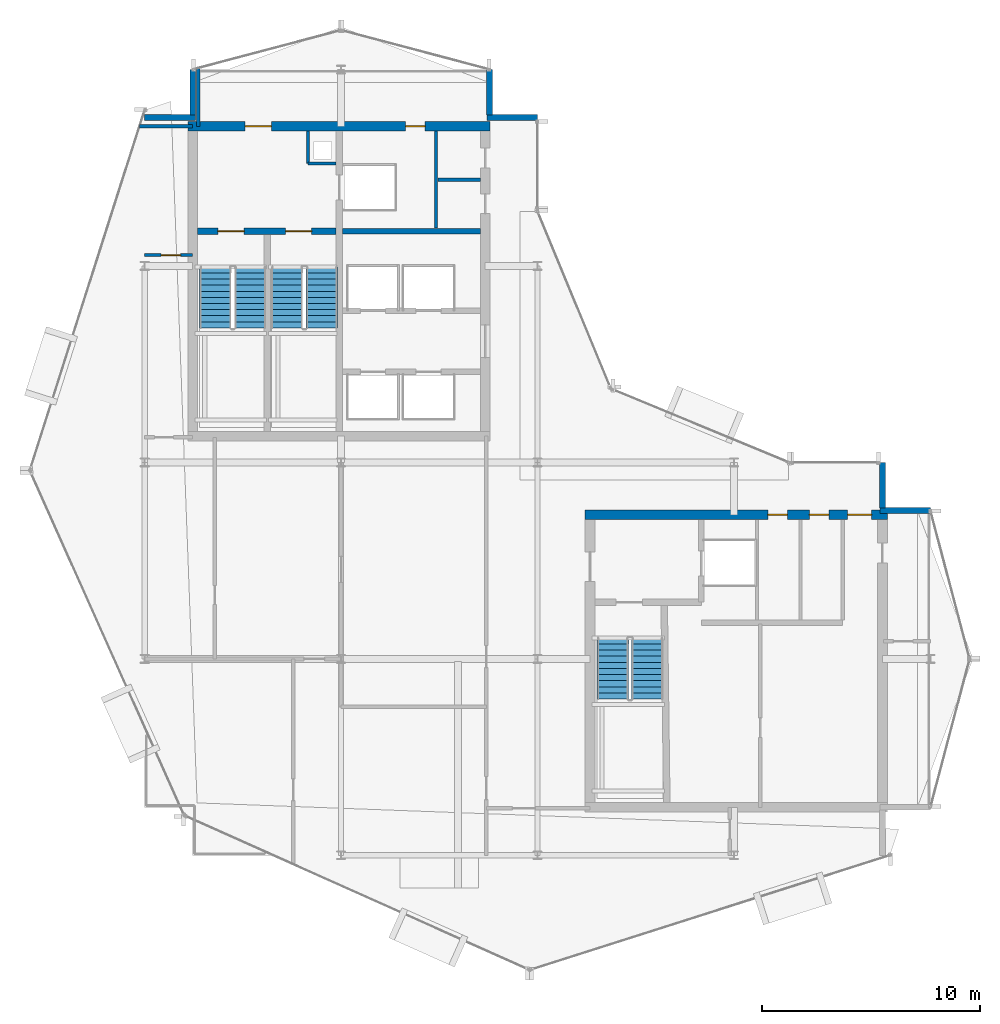
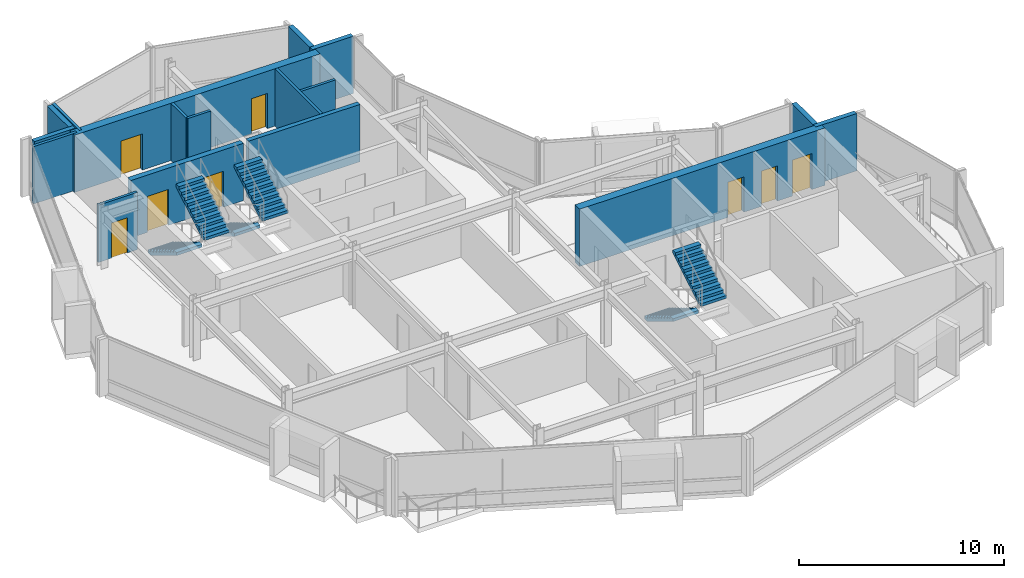
# One storey, part 15 of 19: 17 walls, 8 doors, 6 stair flights, 8 openings, 3 elements without a shape of their own.
"""IFC4 building model written with IfcOpenShell, lengths in metres."""

from ifc_helpers import new_model, si_unit, direction, frame, frame_2d, origin, place, context, subcontext, project, spatial, polyline, rectangle, outline, extrude, material, layer, layer_set, type_object, element, fill, aggregate, save


model = new_model("IFC4")

# Units and contexts
model_context = context("Model", 3, precision=1e-05, world=origin(), true_north=direction((0.0, 1.0)))
body_context = subcontext(model_context, "Body", "Model", "MODEL_VIEW")
ifc_project = project(units=[si_unit("LENGTHUNIT", "METRE"), si_unit("AREAUNIT", "SQUARE_METRE"), si_unit("VOLUMEUNIT", "CUBIC_METRE"), si_unit("PLANEANGLEUNIT", "RADIAN"), si_unit("MASSUNIT", "GRAM", prefix="KILO")], contexts=[model_context])

# Site, building, storey
site_placement = place(None, origin())
site = spatial("IfcSite", under=ifc_project, at=site_placement, CompositionType="ELEMENT")
building_placement = place(site_placement, origin())
building = spatial("IfcBuilding", under=site, at=building_placement, Name="Solvaryn Broadcast Tower", CompositionType="ELEMENT")
storey_placement = place(building_placement, frame((0.0, 0.0, 263.0)))
storey = spatial("IfcBuildingStorey", under=building, at=storey_placement, Name="L66", CompositionType="ELEMENT", Elevation=263.0)

# Wall, openings, doors
ifc_material_1 = material(Name="Concrete f'c 70 MPa", Category="concrete")
ifc_layer_1 = layer(ifc_material_1, 0.449951171875)
ifc_layer_set_1 = layer_set([ifc_layer_1], Name="CW-SHEAR-450")
wall_type_1 = type_object("IfcWallType", Name="CW-SHEAR-450", PredefinedType="SHEAR", material=ifc_layer_set_1)
wall_1_placement = place(storey_placement, frame((24.824951171875, 42.39990234375, 0.0), z_axis=(0.0, 0.0, 1.0), x_axis=(-1.0, 0.0, 0.0)))
wall_1 = element("IfcWall", 1, at=wall_1_placement, inside=storey, type_object=wall_type_1, Name="L66 West Core North Shear Wall", PredefinedType="SHEAR", context=body_context, shape_type="SweptSolid", body=[
    extrude(rectangle(XDim=13.849853515625, YDim=0.449951171875, at=frame_2d((6.9248046875, 0.0))), origin(), (0.0, 0.0, 1.0), 3.419921875),
])
opening_1_placement = place(wall_1_placement, frame((10.02490234375, 0.0, 0.0)))
opening_1 = element("IfcOpeningElement", 2, at=opening_1_placement, cuts=wall_1, Name="Opening FD90A", PredefinedType="OPENING", context=body_context, shape_type="SweptSolid", body=[
    extrude(rectangle(XDim=1.199951171875, YDim=2.14990234375, at=frame_2d((0.60009765625, 1.074951171875))), frame((0.0, 0.235107421875, 0.0), z_axis=(0.0, -1.0, 0.0), x_axis=(1.0, 0.0, 0.0)), (0.0, 0.0, 1.0), 0.469970703125),
])
opening_2_placement = place(wall_1_placement, frame((2.97509765625, 0.0, 0.0)))
opening_2 = element("IfcOpeningElement", 3, at=opening_2_placement, cuts=wall_1, Name="Opening FD60C", PredefinedType="OPENING", context=body_context, shape_type="SweptSolid", body=[
    extrude(rectangle(XDim=0.89990234375, YDim=2.10009765625, at=frame_2d((0.449951171875, 1.050048828125))), frame((0.0, 0.235107421875, 0.0), z_axis=(0.0, -1.0, 0.0), x_axis=(1.0, 0.0, 0.0)), (0.0, 0.0, 1.0), 0.469970703125),
])
ifc_material_2 = material(Name="Flush Acoustic Steel and Timber Door Assembly", Category="steel")
door_type_1 = type_object("IfcDoorType", Name="FD60-SERV-900X2100", OperationType="NOTDEFINED", PredefinedType="DOOR", material=ifc_material_2)
door_1_placement = place(opening_2_placement, origin())
door_1 = element("IfcDoor", 4, at=door_1_placement, inside=storey, type_object=door_type_1, Name="L66 West Core Fiber Riser Door", OperationType="SINGLE_SWING_RIGHT", OverallHeight=2.10009765625, OverallWidth=0.89990234375, PredefinedType="DOOR", context=body_context, shape_type="SweptSolid", body=[
    extrude(rectangle(XDim=0.89990234375, YDim=2.10009765625, at=frame_2d((0.449951171875, 1.050048828125))), frame((0.0, 0.02490234375, 0.0), z_axis=(0.0, -1.0, 0.0), x_axis=(1.0, 0.0, 0.0)), (0.0, 0.0, 1.0), 0.050048828125),
])
fill(opening_2, door_1)
ifc_material_3 = material(Name="Flush Acoustic Steel and Timber Door Assembly", Category="steel")
door_type_2 = type_object("IfcDoorType", Name="FD90-STAIR-1200X2150", OperationType="NOTDEFINED", PredefinedType="DOOR", material=ifc_material_3)
door_2_placement = place(opening_1_placement, origin())
door_2 = element("IfcDoor", 5, at=door_2_placement, inside=storey, type_object=door_type_2, Name="L66 West FSAE Lobby Corridor Door", OperationType="SINGLE_SWING_LEFT", OverallHeight=2.14990234375, OverallWidth=1.199951171875, PredefinedType="DOOR", context=body_context, shape_type="SweptSolid", body=[
    extrude(rectangle(XDim=1.199951171875, YDim=2.14990234375, at=frame_2d((0.60009765625, 1.074951171875))), frame((0.0, 0.02490234375, 0.0), z_axis=(0.0, -1.0, 0.0), x_axis=(1.0, 0.0, 0.0)), (0.0, 0.0, 1.0), 0.050048828125),
])
fill(opening_1, door_2)

wall_2_placement = place(storey_placement, frame((43.02490234375, 24.60009765625, 0.0), z_axis=(0.0, 0.0, 1.0), x_axis=(-1.0, 0.0, 0.0)))
wall_2 = element("IfcWall", 6, at=wall_2_placement, inside=storey, type_object=wall_type_1, Name="L66 East Core North Shear Wall", PredefinedType="SHEAR", context=body_context, shape_type="SweptSolid", body=[
    extrude(rectangle(XDim=13.849853515625, YDim=0.449951171875, at=frame_2d((6.9248046875, 0.0))), origin(), (0.0, 0.0, 1.0), 3.419921875),
])
opening_3_placement = place(wall_2_placement, frame((0.72509765625, 0.0, 0.0)))
opening_3 = element("IfcOpeningElement", 7, at=opening_3_placement, cuts=wall_2, Name="Opening FD90C", PredefinedType="OPENING", context=body_context, shape_type="SweptSolid", body=[
    extrude(rectangle(XDim=1.10009765625, YDim=2.14990234375, at=frame_2d((0.550048828125, 1.074951171875))), frame((0.0, 0.235107421875, 0.0), z_axis=(0.0, -1.0, 0.0), x_axis=(1.0, 0.0, 0.0)), (0.0, 0.0, 1.0), 0.469970703125),
])
opening_4_placement = place(wall_2_placement, frame((2.675048828125, 0.0, 0.0)))
opening_4 = element("IfcOpeningElement", 8, at=opening_4_placement, cuts=wall_2, Name="Opening FD60C", PredefinedType="OPENING", context=body_context, shape_type="SweptSolid", body=[
    extrude(rectangle(XDim=0.89990234375, YDim=2.10009765625, at=frame_2d((0.449951171875, 1.050048828125))), frame((0.0, 0.235107421875, 0.0), z_axis=(0.0, -1.0, 0.0), x_axis=(1.0, 0.0, 0.0)), (0.0, 0.0, 1.0), 0.469970703125),
])
opening_5_placement = place(wall_2_placement, frame((4.574951171875, 0.0, 0.0)))
opening_5 = element("IfcOpeningElement", 9, at=opening_5_placement, cuts=wall_2, Name="Opening FD60C", PredefinedType="OPENING", context=body_context, shape_type="SweptSolid", body=[
    extrude(rectangle(XDim=0.89990234375, YDim=2.10009765625, at=frame_2d((0.449951171875, 1.050048828125))), frame((0.0, 0.235107421875, 0.0), z_axis=(0.0, -1.0, 0.0), x_axis=(1.0, 0.0, 0.0)), (0.0, 0.0, 1.0), 0.469970703125),
])
door_3_placement = place(opening_4_placement, origin())
door_3 = element("IfcDoor", 10, at=door_3_placement, inside=storey, type_object=door_type_1, Name="L66 Staff Restroom Door", OperationType="SINGLE_SWING_LEFT", OverallHeight=2.10009765625, OverallWidth=0.89990234375, PredefinedType="DOOR", context=body_context, shape_type="SweptSolid", body=[
    extrude(rectangle(XDim=0.89990234375, YDim=2.10009765625, at=frame_2d((0.449951171875, 1.050048828125))), frame((0.0, 0.02490234375, 0.0), z_axis=(0.0, -1.0, 0.0), x_axis=(1.0, 0.0, 0.0)), (0.0, 0.0, 1.0), 0.050048828125),
])
fill(opening_4, door_3)
door_4_placement = place(opening_5_placement, origin())
door_4 = element("IfcDoor", 11, at=door_4_placement, inside=storey, type_object=door_type_1, Name="L66 Accessible WC Door", OperationType="SINGLE_SWING_RIGHT", OverallHeight=2.10009765625, OverallWidth=0.89990234375, PredefinedType="DOOR", context=body_context, shape_type="SweptSolid", body=[
    extrude(rectangle(XDim=0.89990234375, YDim=2.10009765625, at=frame_2d((0.449951171875, 1.050048828125))), frame((0.0, 0.02490234375, 0.0), z_axis=(0.0, -1.0, 0.0), x_axis=(1.0, 0.0, 0.0)), (0.0, 0.0, 1.0), 0.050048828125),
])
fill(opening_5, door_4)
ifc_material_4 = material(Name="Flush Acoustic Steel and Timber Door Assembly", Category="steel")
door_type_3 = type_object("IfcDoorType", Name="FD90-PLANT-1100X2150", OperationType="NOTDEFINED", PredefinedType="DOOR", material=ifc_material_4)
door_5_placement = place(opening_3_placement, origin())
door_5 = element("IfcDoor", 12, at=door_5_placement, inside=storey, type_object=door_type_3, Name="L66 East Core Lobby Corridor Door", OperationType="SINGLE_SWING_LEFT", OverallHeight=2.14990234375, OverallWidth=1.10009765625, PredefinedType="DOOR", context=body_context, shape_type="SweptSolid", body=[
    extrude(rectangle(XDim=1.10009765625, YDim=2.14990234375, at=frame_2d((0.550048828125, 1.074951171875))), frame((0.0, 0.02490234375, 0.0), z_axis=(0.0, -1.0, 0.0), x_axis=(1.0, 0.0, 0.0)), (0.0, 0.0, 1.0), 0.050048828125),
])
fill(opening_3, door_5)

# Walls
ifc_material_5 = material(Name="Concrete f'c 50 MPa", Category="concrete")
ifc_layer_2 = layer(ifc_material_5, 0.260009765625)
ifc_layer_set_2 = layer_set([ifc_layer_2], Name="EW-PIER-260")
wall_type_2 = type_object("IfcWallType", Name="EW-PIER-260", PredefinedType="SOLIDWALL", material=ifc_layer_set_2)
wall_3_placement = place(storey_placement, frame((9.0, 42.800048828125, 0.0), z_axis=(0.0, 0.0, 1.0), x_axis=(1.0, 0.0, 0.0)))
element("IfcWall", 13, at=wall_3_placement, inside=storey, type_object=wall_type_2, Name="L66 Notched Corner Pier Wall NNW1", PredefinedType="SOLIDWALL", context=body_context, shape_type="SweptSolid", body=[
    extrude(rectangle(XDim=2.320068359375, YDim=0.260009765625, at=frame_2d((1.16015625, 0.0))), origin(), (0.0, 0.0, 1.0), 3.419921875),
])
for number, where, z_axis, x_axis, name in (
    (14, (11.199951171875, 42.919921875, 0.0), (0.0, 0.0, 1.0), (0.0, 1.0, 0.0), "L66 Notched Corner Pier Wall NNW2"),
    (15, (24.800048828125, 45.0, 0.0), (0.0, 0.0, 1.0), (0.0, -1.0, 0.0), "L66 Notched Corner Pier Wall NNE1"),
):
    element("IfcWall", number, at=place(storey_placement, frame(where, z_axis=z_axis, x_axis=x_axis)), inside=storey, type_object=wall_type_2, Name=name, PredefinedType="SOLIDWALL", context=body_context, shape_type="SweptSolid", body=[
        extrude(rectangle(XDim=2.080078125, YDim=0.260009765625, at=frame_2d((1.0400390625, 0.0))), origin(), (0.0, 0.0, 1.0), 3.419921875),
    ])
for number, where, z_axis, x_axis, name in (
    (16, (24.679931640625, 42.800048828125, 0.0), (0.0, 0.0, 1.0), (1.0, 0.0, 0.0), "L66 Notched Corner Pier Wall NNE2"),
    (17, (45.0, 24.800048828125, 0.0), (0.0, 0.0, 1.0), (-1.0, 0.0, 0.0), "L66 Notched Corner Pier Wall NEE1"),
):
    element("IfcWall", number, at=place(storey_placement, frame(where, z_axis=z_axis, x_axis=x_axis)), inside=storey, type_object=wall_type_2, Name=name, PredefinedType="SOLIDWALL", context=body_context, shape_type="SweptSolid", body=[
        extrude(rectangle(XDim=2.320068359375, YDim=0.260009765625, at=frame_2d((1.16015625, 0.0))), origin(), (0.0, 0.0, 1.0), 3.419921875),
    ])
wall_4_placement = place(storey_placement, frame((42.800048828125, 24.919921875, 0.0), z_axis=(0.0, 0.0, 1.0), x_axis=(0.0, 1.0, 0.0)))
element("IfcWall", 18, at=wall_4_placement, inside=storey, type_object=wall_type_2, Name="L66 Notched Corner Pier Wall NEE2", PredefinedType="SOLIDWALL", context=body_context, shape_type="SweptSolid", body=[
    extrude(rectangle(XDim=2.080078125, YDim=0.260009765625, at=frame_2d((1.0400390625, 0.0))), origin(), (0.0, 0.0, 1.0), 3.419921875),
])
ifc_material_6 = material(Name="Metal-Stud Service Core Partition")
ifc_layer_3 = layer(ifc_material_6, 0.14990234375)
ifc_layer_set_3 = layer_set([ifc_layer_3], Name="IW-PART-150")
wall_type_3 = type_object("IfcWallType", Name="IW-PART-150", PredefinedType="PARTITIONING", material=ifc_layer_set_3)
wall_5_placement = place(storey_placement, frame((16.47998046875, 40.699951171875, 0.0), z_axis=(0.0, 0.0, 1.0), x_axis=(1.0, 0.0, 0.0)))
element("IfcWall", 19, at=wall_5_placement, inside=storey, type_object=wall_type_3, Name="L66 West Core Riser Shaft South Wall", PredefinedType="PARTITIONING", context=body_context, shape_type="SweptSolid", body=[
    extrude(rectangle(XDim=1.2900390625, YDim=0.14990234375, at=frame_2d((0.64501953125, 0.0))), origin(), (0.0, 0.0, 1.0), 3.419921875),
])
wall_6_placement = place(storey_placement, frame((16.47998046875, 40.699951171875, 0.0), z_axis=(0.0, 0.0, 1.0), x_axis=(0.0, 1.0, 0.0)))
element("IfcWall", 20, at=wall_6_placement, inside=storey, type_object=wall_type_3, Name="L66 West Core Riser Shaft West Wall", PredefinedType="PARTITIONING", context=body_context, shape_type="SweptSolid", body=[
    extrude(rectangle(XDim=1.47509765625, YDim=0.14990234375, at=frame_2d((0.737548828125, 0.0))), origin(), (0.0, 0.0, 1.0), 3.419921875),
])
wall_7_placement = place(storey_placement, frame((22.35009765625, 37.72998046875, 0.0), z_axis=(0.0, 0.0, 1.0), x_axis=(0.0, 1.0, 0.0)))
element("IfcWall", 21, at=wall_7_placement, inside=storey, type_object=wall_type_3, Name="L66 Interior Partition IW-L66-CWS-V", PredefinedType="PARTITIONING", context=body_context, shape_type="SweptSolid", body=[
    extrude(rectangle(XDim=4.445068359375, YDim=0.14990234375, at=frame_2d((2.22265625, 0.0))), origin(), (0.0, 0.0, 1.0), 3.419921875),
])
wall_8_placement = place(storey_placement, frame((22.429931640625, 39.949951171875, 0.0), z_axis=(0.0, 0.0, 1.0), x_axis=(1.0, 0.0, 0.0)))
element("IfcWall", 22, at=wall_8_placement, inside=storey, type_object=wall_type_3, Name="L66 Interior Partition IW-L66-CWS-H", PredefinedType="PARTITIONING", context=body_context, shape_type="SweptSolid", body=[
    extrude(rectangle(XDim=1.945068359375, YDim=0.14990234375, at=frame_2d((0.97265625, 0.0))), origin(), (0.0, 0.0, 1.0), 3.419921875),
])

# Wall, opening, door
wall_9_placement = place(storey_placement, frame((9.0, 36.5, 0.0), z_axis=(0.0, 0.0, 1.0), x_axis=(1.0, 0.0, 0.0)))
wall_9 = element("IfcWall", 23, at=wall_9_placement, inside=storey, type_object=wall_type_3, Name="L66 Interior Partition IW-L66-WM-M", PredefinedType="PARTITIONING", context=body_context, shape_type="SweptSolid", body=[
    extrude(rectangle(XDim=2.199951171875, YDim=0.14990234375, at=frame_2d((1.10009765625, 0.0))), origin(), (0.0, 0.0, 1.0), 3.419921875),
])
opening_6_placement = place(wall_9_placement, frame((0.75, 0.0, 0.0)))
opening_6 = element("IfcOpeningElement", 24, at=opening_6_placement, cuts=wall_9, Name="Opening FD60C", PredefinedType="OPENING", context=body_context, shape_type="SweptSolid", body=[
    extrude(rectangle(XDim=0.89990234375, YDim=2.10009765625, at=frame_2d((0.449951171875, 1.050048828125))), frame((0.0, 0.0849609375, 0.0), z_axis=(0.0, -1.0, 0.0), x_axis=(1.0, 0.0, 0.0)), (0.0, 0.0, 1.0), 0.169921875),
])
door_6_placement = place(opening_6_placement, origin())
door_6 = element("IfcDoor", 25, at=door_6_placement, inside=storey, type_object=door_type_1, Name="L66 Door DR-L66-WM1", OperationType="SINGLE_SWING_LEFT", OverallHeight=2.10009765625, OverallWidth=0.89990234375, PredefinedType="DOOR", context=body_context, shape_type="SweptSolid", body=[
    extrude(rectangle(XDim=0.89990234375, YDim=2.10009765625, at=frame_2d((0.449951171875, 1.050048828125))), frame((0.0, 0.02490234375, 0.0), z_axis=(0.0, -1.0, 0.0), x_axis=(1.0, 0.0, 0.0)), (0.0, 0.0, 1.0), 0.050048828125),
])
fill(opening_6, door_6)

# Walls
ifc_material_7 = material(Name="Metal-Stud Gypsum Office Partition")
ifc_layer_4 = layer(ifc_material_7, 0.159912109375)
ifc_layer_set_4 = layer_set([ifc_layer_4], Name="IW-PART-160")
wall_type_4 = type_object("IfcWallType", Name="IW-PART-160", PredefinedType="PARTITIONING", material=ifc_layer_set_4)
wall_10_placement = place(storey_placement, frame((8.760986328125, 42.39990234375, 0.0), z_axis=(0.0, 0.0, 1.0), x_axis=(1.0, 0.0, 0.0)))
element("IfcWall", 26, at=wall_10_placement, inside=storey, type_object=wall_type_4, Name="L66 Interior Partition IW-L66-WM-N", PredefinedType="PARTITIONING", context=body_context, shape_type="SweptSolid", body=[
    extrude(rectangle(XDim=2.43896484375, YDim=0.159912109375, at=frame_2d((1.219482421875, 0.0))), origin(), (0.0, 0.0, 1.0), 3.419921875),
])
wall_11_placement = place(storey_placement, frame((11.449951171875, 42.39990234375, 0.0), z_axis=(0.0, 0.0, 1.0), x_axis=(0.0, 1.0, 0.0)))
element("IfcWall", 27, at=wall_11_placement, inside=storey, type_object=wall_type_4, Name="L66 Interior Partition IW-L66-WM-E", PredefinedType="PARTITIONING", context=body_context, shape_type="SweptSolid", body=[
    extrude(rectangle(XDim=2.666015625, YDim=0.159912109375, at=frame_2d((1.3330078125, 0.0))), origin(), (0.0, 0.0, 1.0), 3.419921875),
])
ifc_material_8 = material(Name="Concrete f'c 60 MPa", Category="concrete")
ifc_layer_5 = layer(ifc_material_8, 0.25)
ifc_layer_set_5 = layer_set([ifc_layer_5], Name="SW-SHAFT-250")
wall_type_5 = type_object("IfcWallType", Name="SW-SHAFT-250", PredefinedType="PARTITIONING", material=ifc_layer_set_5)
wall_12_placement = place(storey_placement, frame((18.070068359375, 37.60009765625, 0.0), z_axis=(0.0, 0.0, 1.0), x_axis=(1.0, 0.0, 0.0)))
element("IfcWall", 28, at=wall_12_placement, inside=storey, type_object=wall_type_5, Name="L66 West Core FSAE Hoistway Front Wall", PredefinedType="PARTITIONING", context=body_context, shape_type="SweptSolid", body=[
    extrude(rectangle(XDim=6.304931640625, YDim=0.25, at=frame_2d((3.15234375, 0.0))), origin(), (0.0, 0.0, 1.0), 3.419921875),
])

# Wall, openings, doors
ifc_material_9 = material(Name="Concrete f'c 70 MPa", Category="concrete")
ifc_layer_6 = layer(ifc_material_9, 0.300048828125)
ifc_layer_set_6 = layer_set([ifc_layer_6], Name="SW-SHAFT-300")
wall_type_6 = type_object("IfcWallType", Name="SW-SHAFT-300", PredefinedType="SHEAR", material=ifc_layer_set_6)
wall_13_placement = place(storey_placement, frame((17.77001953125, 37.60009765625, 0.0), z_axis=(0.0, 0.0, 1.0), x_axis=(-1.0, 0.0, 0.0)))
wall_13 = element("IfcWall", 29, at=wall_13_placement, inside=storey, type_object=wall_type_6, Name="L66 West Core FSAE Lobby South Wall", PredefinedType="SHEAR", context=body_context, shape_type="SweptSolid", body=[
    extrude(rectangle(XDim=6.344970703125, YDim=0.300048828125, at=frame_2d((3.17236328125, 0.0))), origin(), (0.0, 0.0, 1.0), 3.419921875),
])
opening_7_placement = place(wall_13_placement, frame((4.219970703125, 0.0, 0.0)))
opening_7 = element("IfcOpeningElement", 30, at=opening_7_placement, cuts=wall_13, Name="Opening FD90A", PredefinedType="OPENING", context=body_context, shape_type="SweptSolid", body=[
    extrude(rectangle(XDim=1.199951171875, YDim=2.14990234375, at=frame_2d((0.60009765625, 1.074951171875))), frame((0.0, 0.159912109375, 0.0), z_axis=(0.0, -1.0, 0.0), x_axis=(1.0, 0.0, 0.0)), (0.0, 0.0, 1.0), 0.320068359375),
])
opening_8_placement = place(wall_13_placement, frame((1.1201171875, 0.0, 0.0)))
opening_8 = element("IfcOpeningElement", 31, at=opening_8_placement, cuts=wall_13, Name="Opening FD90A", PredefinedType="OPENING", context=body_context, shape_type="SweptSolid", body=[
    extrude(rectangle(XDim=1.199951171875, YDim=2.14990234375, at=frame_2d((0.60009765625, 1.074951171875))), frame((0.0, 0.159912109375, 0.0), z_axis=(0.0, -1.0, 0.0), x_axis=(1.0, 0.0, 0.0)), (0.0, 0.0, 1.0), 0.320068359375),
])
door_7_placement = place(opening_7_placement, origin())
door_7 = element("IfcDoor", 32, at=door_7_placement, inside=storey, type_object=door_type_2, Name="L66 Stair 1 Fire Door", OperationType="SINGLE_SWING_LEFT", OverallHeight=2.14990234375, OverallWidth=1.199951171875, PredefinedType="DOOR", context=body_context, shape_type="SweptSolid", body=[
    extrude(rectangle(XDim=1.199951171875, YDim=2.14990234375, at=frame_2d((0.60009765625, 1.074951171875))), frame((0.0, 0.02490234375, 0.0), z_axis=(0.0, -1.0, 0.0), x_axis=(1.0, 0.0, 0.0)), (0.0, 0.0, 1.0), 0.050048828125),
])
fill(opening_7, door_7)
door_8_placement = place(opening_8_placement, origin())
door_8 = element("IfcDoor", 33, at=door_8_placement, inside=storey, type_object=door_type_2, Name="L66 Stair 2 Fire Door", OperationType="SINGLE_SWING_RIGHT", OverallHeight=2.14990234375, OverallWidth=1.199951171875, PredefinedType="DOOR", context=body_context, shape_type="SweptSolid", body=[
    extrude(rectangle(XDim=1.199951171875, YDim=2.14990234375, at=frame_2d((0.60009765625, 1.074951171875))), frame((0.0, 0.02490234375, 0.0), z_axis=(0.0, -1.0, 0.0), x_axis=(1.0, 0.0, 0.0)), (0.0, 0.0, 1.0), 0.050048828125),
])
fill(opening_8, door_8)

# Stair, stair flights
ifc_material_10 = material(Name="Concrete f'c 60 MPa", Category="concrete")
stair_type = type_object("IfcStairType", Name="ST-CORE", PredefinedType="HALF_TURN_STAIR", material=ifc_material_10)
stair_1_placement = place(storey_placement, origin())
stair_1 = element("IfcStair", 34, at=stair_1_placement, inside=storey, type_object=stair_type, Name="L66 ST1", PredefinedType="HALF_TURN_STAIR")
ifc_material_11 = material(Name="Concrete f'c 60 MPa", Category="concrete")
ifc_layer_7 = layer(ifc_material_11, 0.159912109375)
ifc_layer_set_7 = layer_set([ifc_layer_7], Name="SF-CORE")
stair_flight_type = type_object("IfcStairFlightType", Name="SF-CORE", PredefinedType="STRAIGHT", material=ifc_layer_set_7)
stair_flight_1_placement = place(storey_placement, frame((12.239990234375, 35.9599609375, 0.0), z_axis=(0.0, 0.0, 1.0), x_axis=(0.0, -1.0, 0.0)))
stair_flight_1 = element("IfcStairFlight", 35, at=stair_flight_1_placement, type_object=stair_flight_type, Name="ST1 flight 1", NumberOfRisers=11, NumberOfTreads=10, PredefinedType="STRAIGHT", RiserHeight=0.168181818, TreadLength=0.28, context=body_context, shape_type="SweptSolid", body=[
    extrude(outline(polyline([(0.0, 0.0), (0.0, 0.168212890625), (0.280029296875, 0.168212890625), (0.280029296875, 0.33642578125), (0.56005859375, 0.33642578125), (0.56005859375, 0.504638671875), (0.840087890625, 0.504638671875), (0.840087890625, 0.672607421875), (1.1201171875, 0.672607421875), (1.1201171875, 0.8408203125), (1.39990234375, 0.8408203125), (1.39990234375, 1.009033203125), (1.679931640625, 1.009033203125), (1.679931640625, 1.17724609375), (1.9599609375, 1.17724609375), (1.9599609375, 1.345458984375), (2.239990234375, 1.345458984375), (2.239990234375, 1.513671875), (2.52001953125, 1.513671875), (2.52001953125, 1.681884765625), (2.800048828125, 1.681884765625), (2.800048828125, 1.85009765625), (2.800048828125, 1.5068359375), (0.291015625, 0.0), (0.0, 0.0)])), frame((0.0, 0.719970703125, 0.0), z_axis=(0.0, -1.0, 0.0), x_axis=(1.0, 0.0, 0.0)), (0.0, 0.0, 1.0), 1.43994140625),
])
stair_flight_2_placement = place(storey_placement, frame((13.830078125, 33.159912109375, 1.85009765625), z_axis=(0.0, 0.0, 1.0), x_axis=(0.0, 1.0, 0.0)))
stair_flight_2 = element("IfcStairFlight", 36, at=stair_flight_2_placement, type_object=stair_flight_type, Name="ST1 flight 2", NumberOfRisers=11, NumberOfTreads=10, PredefinedType="STRAIGHT", RiserHeight=0.168181818, TreadLength=0.28, context=body_context, shape_type="SweptSolid", body=[
    extrude(outline(polyline([(0.0, 0.0), (0.0, 0.168212890625), (0.280029296875, 0.168212890625), (0.280029296875, 0.33642578125), (0.56005859375, 0.33642578125), (0.56005859375, 0.504638671875), (0.840087890625, 0.504638671875), (0.840087890625, 0.672607421875), (1.1201171875, 0.672607421875), (1.1201171875, 0.8408203125), (1.39990234375, 0.8408203125), (1.39990234375, 1.009033203125), (1.679931640625, 1.009033203125), (1.679931640625, 1.17724609375), (1.9599609375, 1.17724609375), (1.9599609375, 1.345458984375), (2.239990234375, 1.345458984375), (2.239990234375, 1.513671875), (2.52001953125, 1.513671875), (2.52001953125, 1.681884765625), (2.800048828125, 1.681884765625), (2.800048828125, 1.85009765625), (2.800048828125, 1.5068359375), (0.291015625, 0.0), (0.0, 0.0)])), frame((0.0, 0.719970703125, 0.0), z_axis=(0.0, -1.0, 0.0), x_axis=(1.0, 0.0, 0.0)), (0.0, 0.0, 1.0), 1.43994140625),
])
aggregate(stair_1, [stair_flight_1, stair_flight_2])

stair_2_placement = place(storey_placement, origin())
stair_2 = element("IfcStair", 37, at=stair_2_placement, inside=storey, type_object=stair_type, Name="L66 ST2", PredefinedType="HALF_TURN_STAIR")
stair_flight_3_placement = place(storey_placement, frame((15.52001953125, 35.9599609375, 0.0), z_axis=(0.0, 0.0, 1.0), x_axis=(0.0, -1.0, 0.0)))
stair_flight_3 = element("IfcStairFlight", 38, at=stair_flight_3_placement, type_object=stair_flight_type, Name="ST2 flight 1", NumberOfRisers=11, NumberOfTreads=10, PredefinedType="STRAIGHT", RiserHeight=0.168181818, TreadLength=0.28, context=body_context, shape_type="SweptSolid", body=[
    extrude(outline(polyline([(0.0, 0.0), (0.0, 0.168212890625), (0.280029296875, 0.168212890625), (0.280029296875, 0.33642578125), (0.56005859375, 0.33642578125), (0.56005859375, 0.504638671875), (0.840087890625, 0.504638671875), (0.840087890625, 0.672607421875), (1.1201171875, 0.672607421875), (1.1201171875, 0.8408203125), (1.39990234375, 0.8408203125), (1.39990234375, 1.009033203125), (1.679931640625, 1.009033203125), (1.679931640625, 1.17724609375), (1.9599609375, 1.17724609375), (1.9599609375, 1.345458984375), (2.239990234375, 1.345458984375), (2.239990234375, 1.513671875), (2.52001953125, 1.513671875), (2.52001953125, 1.681884765625), (2.800048828125, 1.681884765625), (2.800048828125, 1.85009765625), (2.800048828125, 1.5068359375), (0.291015625, 0.0), (0.0, 0.0)])), frame((0.0, 0.719970703125, 0.0), z_axis=(0.0, -1.0, 0.0), x_axis=(1.0, 0.0, 0.0)), (0.0, 0.0, 1.0), 1.43994140625),
])
stair_flight_4_placement = place(storey_placement, frame((17.110107421875, 33.159912109375, 1.85009765625), z_axis=(0.0, 0.0, 1.0), x_axis=(0.0, 1.0, 0.0)))
stair_flight_4 = element("IfcStairFlight", 39, at=stair_flight_4_placement, type_object=stair_flight_type, Name="ST2 flight 2", NumberOfRisers=11, NumberOfTreads=10, PredefinedType="STRAIGHT", RiserHeight=0.168181818, TreadLength=0.28, context=body_context, shape_type="SweptSolid", body=[
    extrude(outline(polyline([(0.0, 0.0), (0.0, 0.168212890625), (0.280029296875, 0.168212890625), (0.280029296875, 0.33642578125), (0.56005859375, 0.33642578125), (0.56005859375, 0.504638671875), (0.840087890625, 0.504638671875), (0.840087890625, 0.672607421875), (1.1201171875, 0.672607421875), (1.1201171875, 0.8408203125), (1.39990234375, 0.8408203125), (1.39990234375, 1.009033203125), (1.679931640625, 1.009033203125), (1.679931640625, 1.17724609375), (1.9599609375, 1.17724609375), (1.9599609375, 1.345458984375), (2.239990234375, 1.345458984375), (2.239990234375, 1.513671875), (2.52001953125, 1.513671875), (2.52001953125, 1.681884765625), (2.800048828125, 1.681884765625), (2.800048828125, 1.85009765625), (2.800048828125, 1.5068359375), (0.291015625, 0.0), (0.0, 0.0)])), frame((0.0, 0.719970703125, 0.0), z_axis=(0.0, -1.0, 0.0), x_axis=(1.0, 0.0, 0.0)), (0.0, 0.0, 1.0), 1.43994140625),
])
aggregate(stair_2, [stair_flight_3, stair_flight_4])

stair_3_placement = place(storey_placement, origin())
stair_3 = element("IfcStair", 40, at=stair_3_placement, inside=storey, type_object=stair_type, Name="L66 ST3", PredefinedType="HALF_TURN_STAIR")
stair_flight_5_placement = place(storey_placement, frame((30.43994140625, 18.9599609375, 0.0), z_axis=(0.0, 0.0, 1.0), x_axis=(0.0, -1.0, 0.0)))
stair_flight_5 = element("IfcStairFlight", 41, at=stair_flight_5_placement, type_object=stair_flight_type, Name="ST3 flight 1", NumberOfRisers=11, NumberOfTreads=10, PredefinedType="STRAIGHT", RiserHeight=0.168181818, TreadLength=0.28, context=body_context, shape_type="SweptSolid", body=[
    extrude(outline(polyline([(0.0, 0.0), (0.0, 0.168212890625), (0.280029296875, 0.168212890625), (0.280029296875, 0.33642578125), (0.56005859375, 0.33642578125), (0.56005859375, 0.504638671875), (0.840087890625, 0.504638671875), (0.840087890625, 0.672607421875), (1.1201171875, 0.672607421875), (1.1201171875, 0.8408203125), (1.39990234375, 0.8408203125), (1.39990234375, 1.009033203125), (1.679931640625, 1.009033203125), (1.679931640625, 1.17724609375), (1.9599609375, 1.17724609375), (1.9599609375, 1.345458984375), (2.239990234375, 1.345458984375), (2.239990234375, 1.513671875), (2.52001953125, 1.513671875), (2.52001953125, 1.681884765625), (2.800048828125, 1.681884765625), (2.800048828125, 1.85009765625), (2.800048828125, 1.5068359375), (0.291015625, 0.0), (0.0, 0.0)])), frame((0.0, 0.719970703125, 0.0), z_axis=(0.0, -1.0, 0.0), x_axis=(1.0, 0.0, 0.0)), (0.0, 0.0, 1.0), 1.43994140625),
])
stair_flight_6_placement = place(storey_placement, frame((32.030029296875, 16.159912109375, 1.85009765625), z_axis=(0.0, 0.0, 1.0), x_axis=(0.0, 1.0, 0.0)))
stair_flight_6 = element("IfcStairFlight", 42, at=stair_flight_6_placement, type_object=stair_flight_type, Name="ST3 flight 2", NumberOfRisers=11, NumberOfTreads=10, PredefinedType="STRAIGHT", RiserHeight=0.168181818, TreadLength=0.28, context=body_context, shape_type="SweptSolid", body=[
    extrude(outline(polyline([(0.0, 0.0), (0.0, 0.168212890625), (0.280029296875, 0.168212890625), (0.280029296875, 0.33642578125), (0.56005859375, 0.33642578125), (0.56005859375, 0.504638671875), (0.840087890625, 0.504638671875), (0.840087890625, 0.672607421875), (1.1201171875, 0.672607421875), (1.1201171875, 0.8408203125), (1.39990234375, 0.8408203125), (1.39990234375, 1.009033203125), (1.679931640625, 1.009033203125), (1.679931640625, 1.17724609375), (1.9599609375, 1.17724609375), (1.9599609375, 1.345458984375), (2.239990234375, 1.345458984375), (2.239990234375, 1.513671875), (2.52001953125, 1.513671875), (2.52001953125, 1.681884765625), (2.800048828125, 1.681884765625), (2.800048828125, 1.85009765625), (2.800048828125, 1.5068359375), (0.291015625, 0.0), (0.0, 0.0)])), frame((0.0, 0.719970703125, 0.0), z_axis=(0.0, -1.0, 0.0), x_axis=(1.0, 0.0, 0.0)), (0.0, 0.0, 1.0), 1.43994140625),
])
aggregate(stair_3, [stair_flight_5, stair_flight_6])

save(model, "model.ifc")
